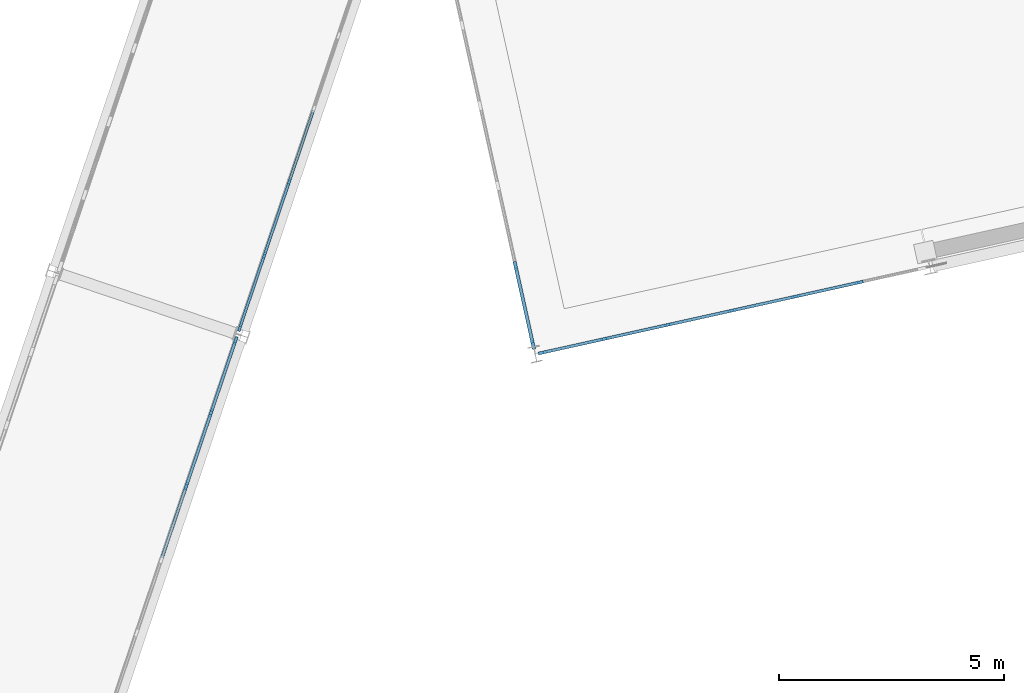
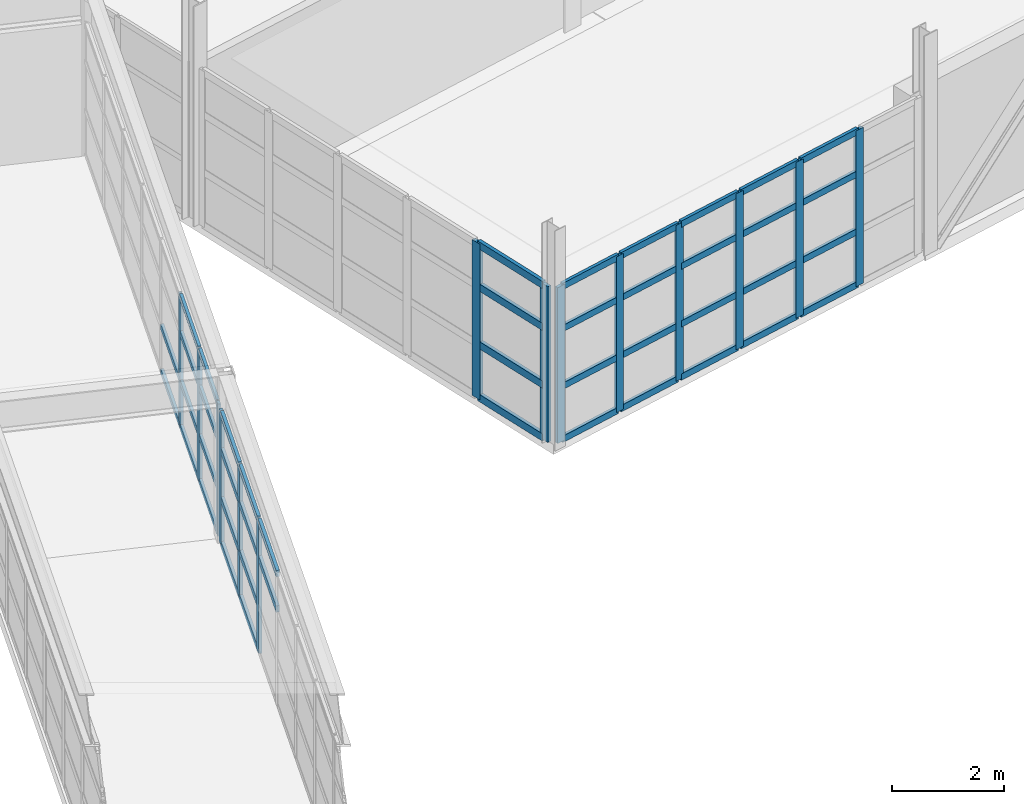
# One storey, part 51 of 102: 58 members, 4 elements without a shape of their own.
"""IFC4 building model written with IfcOpenShell, lengths in metres."""

from ifc_helpers import new_model, si_unit, direction, frame, origin, origin_2d, place, context, subcontext, project, spatial, rectangle, extrude, material, layer, layer_set, material_profile, profile_set, type_object, element, aggregate, save


model = new_model("IFC4")

# Units and contexts
model_context = context("Model", 3, precision=1e-05, world=origin(), true_north=direction((0.0, 1.0)))
body_context = subcontext(model_context, "Body", "Model", "MODEL_VIEW")
ifc_project = project(units=[si_unit("LENGTHUNIT", "METRE"), si_unit("AREAUNIT", "SQUARE_METRE"), si_unit("VOLUMEUNIT", "CUBIC_METRE"), si_unit("PLANEANGLEUNIT", "RADIAN"), si_unit("MASSUNIT", "GRAM", prefix="KILO")], contexts=[model_context])

# Site, building, storey
site_placement = place(None, origin())
site = spatial("IfcSite", under=ifc_project, at=site_placement, CompositionType="ELEMENT")
building_placement = place(site_placement, origin())
building = spatial("IfcBuilding", under=site, at=building_placement, Name="Vireo Bluff Cable Station", CompositionType="ELEMENT")
storey_placement = place(building_placement, frame((0.0, 0.0, 9.60009765625)))
storey = spatial("IfcBuildingStorey", under=building, at=storey_placement, Name="L02", CompositionType="ELEMENT", Elevation=9.60009765625)

# Curtain wall, members
ifc_material = material(Name="Anodized Aluminium 6063-T6", Category="aluminium")
ifc_layer_1 = layer(ifc_material, 0.179931640625, Name="Anodized Aluminium 6063-T6")
ifc_layer_set_1 = layer_set([ifc_layer_1], Name="Anodized Aluminium 6063-T6")
curtain_wall_type_1 = type_object("IfcCurtainWallType", Name="CW-UNIT-1500", PredefinedType="USERDEFINED", material=ifc_layer_set_1)
curtain_wall_1_placement = place(storey_placement, origin())
curtain_wall_1 = element("IfcCurtainWall", 1, at=curtain_wall_1_placement, inside=storey, type_object=curtain_wall_type_1, Name="V2 L02 south curtain wall CW-052", ObjectType="UNITISED CURTAIN WALL", PredefinedType="USERDEFINED")
ifc_material_profile_1 = material_profile(ifc_material, rectangle(XDim=0.06494140625, YDim=0.179931640625, at=origin_2d()), Name="ALU-M-65X180")
ifc_profile_set_1 = profile_set([ifc_material_profile_1], Name="Anodized Aluminium 6063-T6")
member_type_1 = type_object("IfcMemberType", Name="CWM-01", PredefinedType="MULLION", material=ifc_profile_set_1)
member_1_placement = place(storey_placement, frame((133.2158203125, 75.599609375, 0.0), z_axis=(0.0, 0.0, 1.0), x_axis=(0.216439601414, -0.976296009896, 0.0)))
member_1 = element("IfcMember", 2, at=member_1_placement, type_object=member_type_1, Name="CW-052 mullion 2", PredefinedType="MULLION", context=body_context, shape_type="SweptSolid", body=[
    extrude(rectangle(XDim=0.06494140625, YDim=0.179931640625, at=origin_2d()), origin(), (0.0, 0.0, 1.0), 3.39990234375),
])
member_2_placement = place(storey_placement, frame((131.7978515625, 75.285400390625, 0.0), z_axis=(0.0, 0.0, 1.0), x_axis=(0.216439601414, -0.976296009896, 0.0)))
member_2 = element("IfcMember", 3, at=member_2_placement, type_object=member_type_1, Name="CW-052 mullion 3", PredefinedType="MULLION", context=body_context, shape_type="SweptSolid", body=[
    extrude(rectangle(XDim=0.06494140625, YDim=0.179931640625, at=origin_2d()), origin(), (0.0, 0.0, 1.0), 3.39990234375),
])
member_3_placement = place(storey_placement, frame((130.3798828125, 74.970947265625, 0.0), z_axis=(0.0, 0.0, 1.0), x_axis=(0.216439601414, -0.976296009896, 0.0)))
member_3 = element("IfcMember", 4, at=member_3_placement, type_object=member_type_1, Name="CW-052 mullion 4", PredefinedType="MULLION", context=body_context, shape_type="SweptSolid", body=[
    extrude(rectangle(XDim=0.06494140625, YDim=0.179931640625, at=origin_2d()), origin(), (0.0, 0.0, 1.0), 3.39990234375),
])
member_4_placement = place(storey_placement, frame((128.9619140625, 74.65673828125, 0.0), z_axis=(0.0, 0.0, 1.0), x_axis=(0.216439601414, -0.976296009896, 0.0)))
member_4 = element("IfcMember", 5, at=member_4_placement, type_object=member_type_1, Name="CW-052 mullion 5", PredefinedType="MULLION", context=body_context, shape_type="SweptSolid", body=[
    extrude(rectangle(XDim=0.06494140625, YDim=0.179931640625, at=origin_2d()), origin(), (0.0, 0.0, 1.0), 3.39990234375),
])
member_5_placement = place(storey_placement, frame((127.5439453125, 74.34228515625, 0.0), z_axis=(0.0, 0.0, 1.0), x_axis=(0.216439601414, -0.976296009896, 0.0)))
member_5 = element("IfcMember", 6, at=member_5_placement, type_object=member_type_1, Name="CW-052 mullion 6", PredefinedType="MULLION", context=body_context, shape_type="SweptSolid", body=[
    extrude(rectangle(XDim=0.06494140625, YDim=0.179931640625, at=origin_2d()), origin(), (0.0, 0.0, 1.0), 3.39990234375),
])
member_6_placement = place(storey_placement, frame((126.15771484375, 74.034912109375, 0.0), z_axis=(0.0, 0.0, 1.0), x_axis=(0.216439601414, -0.976296009896, 0.0)))
member_6 = element("IfcMember", 7, at=member_6_placement, type_object=member_type_1, Name="CW-052 mullion 7", PredefinedType="MULLION", context=body_context, shape_type="SweptSolid", body=[
    extrude(rectangle(XDim=0.06494140625, YDim=0.179931640625, at=origin_2d()), origin(), (0.0, 0.0, 1.0), 3.39990234375),
])

ifc_layer_2 = layer(ifc_material, 0.159912109375, Name="Anodized Aluminium 6063-T6")
ifc_layer_set_2 = layer_set([ifc_layer_2], Name="Anodized Aluminium 6063-T6")
curtain_wall_type_2 = type_object("IfcCurtainWallType", Name="CW-STICK-1750", PredefinedType="USERDEFINED", material=ifc_layer_set_2)
curtain_wall_2_placement = place(storey_placement, origin())
curtain_wall_2 = element("IfcCurtainWall", 8, at=curtain_wall_2_placement, inside=storey, type_object=curtain_wall_type_2, Name="SKYBR L02 HAUL-DRIVE-2L curtain wall CW-148", ObjectType="STICK CURTAIN WALL", PredefinedType="USERDEFINED")
member_7_placement = place(storey_placement, frame((118.23193359375, 71.06396484375, 0.0), z_axis=(0.0, 0.0, 1.0), x_axis=(-0.9472950728, 0.320362365221, 0.0)))
member_7 = element("IfcMember", 9, at=member_7_placement, type_object=member_type_1, Name="CW-148 mullion 6", PredefinedType="MULLION", context=body_context, shape_type="SweptSolid", body=[
    extrude(rectangle(XDim=0.06494140625, YDim=0.179931640625, at=origin_2d()), origin(), (0.0, 0.0, 1.0), 2.8798828125),
])
member_8_placement = place(storey_placement, frame((118.784912109375, 72.69873046875, 0.0), z_axis=(0.0, 0.0, 1.0), x_axis=(-0.9472950728, 0.320362365221, 0.0)))
member_8 = element("IfcMember", 10, at=member_8_placement, type_object=member_type_1, Name="CW-148 mullion 7", PredefinedType="MULLION", context=body_context, shape_type="SweptSolid", body=[
    extrude(rectangle(XDim=0.06494140625, YDim=0.179931640625, at=origin_2d()), origin(), (0.0, 0.0, 1.0), 2.8798828125),
])
member_9_placement = place(storey_placement, frame((119.327392578125, 74.302734375, 0.0), z_axis=(0.0, 0.0, 1.0), x_axis=(-0.9472950728, 0.320362365221, 0.0)))
member_9 = element("IfcMember", 11, at=member_9_placement, type_object=member_type_1, Name="CW-148 mullion 8", PredefinedType="MULLION", context=body_context, shape_type="SweptSolid", body=[
    extrude(rectangle(XDim=0.06494140625, YDim=0.179931640625, at=origin_2d()), origin(), (0.0, 0.0, 1.0), 2.8798828125),
])

ifc_layer_3 = layer(ifc_material, 0.159912109375, Name="Anodized Aluminium 6063-T6")
ifc_layer_set_3 = layer_set([ifc_layer_3], Name="Anodized Aluminium 6063-T6")
curtain_wall_type_3 = type_object("IfcCurtainWallType", Name="CW-STICK-1850", PredefinedType="USERDEFINED", material=ifc_layer_set_3)
curtain_wall_3_placement = place(storey_placement, origin())
curtain_wall_3 = element("IfcCurtainWall", 12, at=curtain_wall_3_placement, inside=storey, type_object=curtain_wall_type_3, Name="V2 L02 west curtain wall CW-053", ObjectType="STICK CURTAIN WALL", PredefinedType="USERDEFINED")
ifc_material_profile_2 = material_profile(ifc_material, rectangle(XDim=0.074951171875, YDim=0.2099609375, at=origin_2d()), Name="ALU-M-75X210")
ifc_profile_set_2 = profile_set([ifc_material_profile_2], Name="Anodized Aluminium 6063-T6")
member_type_2 = type_object("IfcMemberType", Name="CWM-02", PredefinedType="MULLION", material=ifc_profile_set_2)
member_10_placement = place(storey_placement, frame((125.953369140625, 74.2109375, 0.0), z_axis=(0.0, 0.0, 1.0), x_axis=(-0.976296000381, -0.216439644337, 0.0)))
member_10 = element("IfcMember", 13, at=member_10_placement, type_object=member_type_2, Name="CW-053 mullion 1", PredefinedType="MULLION", context=body_context, shape_type="SweptSolid", body=[
    extrude(rectangle(XDim=0.074951171875, YDim=0.2099609375, at=origin_2d()), origin(), (0.0, 0.0, 1.0), 3.39990234375),
])
member_11_placement = place(storey_placement, frame((125.565185546875, 75.96142578125, 0.0), z_axis=(0.0, 0.0, 1.0), x_axis=(-0.976296000381, -0.216439644337, 0.0)))
member_11 = element("IfcMember", 14, at=member_11_placement, type_object=member_type_2, Name="CW-053 mullion 2", PredefinedType="MULLION", context=body_context, shape_type="SweptSolid", body=[
    extrude(rectangle(XDim=0.074951171875, YDim=0.2099609375, at=origin_2d()), origin(), (0.0, 0.0, 1.0), 3.39990234375),
])

curtain_wall_4_placement = place(storey_placement, origin())
curtain_wall_4 = element("IfcCurtainWall", 15, at=curtain_wall_4_placement, inside=storey, type_object=curtain_wall_type_2, Name="SKYBR L02 HAUL-DRIVE-3L curtain wall CW-150", ObjectType="STICK CURTAIN WALL", PredefinedType="USERDEFINED")
ifc_material_profile_3 = material_profile(ifc_material, rectangle(XDim=0.06005859375, YDim=0.159912109375, at=origin_2d()), Name="ALU-M-60X160")
ifc_profile_set_3 = profile_set([ifc_material_profile_3], Name="Anodized Aluminium 6063-T6")
member_type_3 = type_object("IfcMemberType", Name="CWM-03", PredefinedType="MULLION", material=ifc_profile_set_3)
member_12_placement = place(storey_placement, frame((119.424072265625, 74.589111328125, 0.0), z_axis=(0.0, 0.0, 1.0), x_axis=(-0.947297996715, 0.320353719222, 0.0)))
member_12 = element("IfcMember", 16, at=member_12_placement, type_object=member_type_3, Name="CW-150 mullion 1", PredefinedType="MULLION", context=body_context, shape_type="SweptSolid", body=[
    extrude(rectangle(XDim=0.06005859375, YDim=0.159912109375, at=origin_2d()), origin(), (0.0, 0.0, 1.0), 2.8798828125),
])
member_13_placement = place(storey_placement, frame((119.967041015625, 76.195068359375, 0.0), z_axis=(0.0, 0.0, 1.0), x_axis=(-0.947297996715, 0.320353719222, 0.0)))
member_13 = element("IfcMember", 17, at=member_13_placement, type_object=member_type_3, Name="CW-150 mullion 2", PredefinedType="MULLION", context=body_context, shape_type="SweptSolid", body=[
    extrude(rectangle(XDim=0.06005859375, YDim=0.159912109375, at=origin_2d()), origin(), (0.0, 0.0, 1.0), 2.8798828125),
])
member_14_placement = place(storey_placement, frame((120.519775390625, 77.8291015625, 0.0), z_axis=(0.0, 0.0, 1.0), x_axis=(-0.947297996715, 0.320353719222, 0.0)))
member_14 = element("IfcMember", 18, at=member_14_placement, type_object=member_type_3, Name="CW-150 mullion 3", PredefinedType="MULLION", context=body_context, shape_type="SweptSolid", body=[
    extrude(rectangle(XDim=0.06005859375, YDim=0.159912109375, at=origin_2d()), origin(), (0.0, 0.0, 1.0), 2.8798828125),
])

# Member
ifc_material_profile_4 = material_profile(ifc_material, rectangle(XDim=0.06494140625, YDim=0.139892578125, at=origin_2d()), Name="ALU-T-65X140")
ifc_profile_set_4 = profile_set([ifc_material_profile_4], Name="Anodized Aluminium 6063-T6")
member_type_4 = type_object("IfcMemberType", Name="CWT-01", PredefinedType="USERDEFINED", material=ifc_profile_set_4)
member_15_placement = place(storey_placement, frame((133.18408203125, 75.5927734375, 0.032470703125), z_axis=(-0.976294593652, -0.21644598958, 0.0), x_axis=(0.21644598958, -0.976294593652, 0.0)))
member_15 = element("IfcMember", 19, at=member_15_placement, type_object=member_type_4, Name="CW-052 transom 2.1", ObjectType="TRANSOM", PredefinedType="USERDEFINED", context=body_context, shape_type="SweptSolid", body=[
    extrude(rectangle(XDim=0.06494140625, YDim=0.139892578125, at=origin_2d()), origin(), (0.0, 0.0, 1.0), 1.387451171875),
])

member_16_placement = place(storey_placement, frame((133.18408203125, 75.5927734375, 1.18994140625), z_axis=(-0.976294593652, -0.21644598958, 0.0), x_axis=(0.21644598958, -0.976294593652, 0.0)))
member_16 = element("IfcMember", 20, at=member_16_placement, type_object=member_type_4, Name="CW-052 transom 2.2", ObjectType="TRANSOM", PredefinedType="USERDEFINED", context=body_context, shape_type="SweptSolid", body=[
    extrude(rectangle(XDim=0.06494140625, YDim=0.139892578125, at=origin_2d()), origin(), (0.0, 0.0, 1.0), 1.387451171875),
])

member_17_placement = place(storey_placement, frame((133.18408203125, 75.5927734375, 2.447998046875), z_axis=(-0.976294593652, -0.21644598958, 0.0), x_axis=(0.21644598958, -0.976294593652, 0.0)))
member_17 = element("IfcMember", 21, at=member_17_placement, type_object=member_type_4, Name="CW-052 transom 2.3", ObjectType="TRANSOM", PredefinedType="USERDEFINED", context=body_context, shape_type="SweptSolid", body=[
    extrude(rectangle(XDim=0.06494140625, YDim=0.139892578125, at=origin_2d()), origin(), (0.0, 0.0, 1.0), 1.387451171875),
])

member_18_placement = place(storey_placement, frame((133.18408203125, 75.5927734375, 3.367431640625), z_axis=(-0.976294593652, -0.21644598958, 0.0), x_axis=(0.21644598958, -0.976294593652, 0.0)))
member_18 = element("IfcMember", 22, at=member_18_placement, type_object=member_type_4, Name="CW-052 transom 2.4", ObjectType="TRANSOM", PredefinedType="USERDEFINED", context=body_context, shape_type="SweptSolid", body=[
    extrude(rectangle(XDim=0.06494140625, YDim=0.139892578125, at=origin_2d()), origin(), (0.0, 0.0, 1.0), 1.387451171875),
])

member_19_placement = place(storey_placement, frame((131.76611328125, 75.2783203125, 0.032470703125), z_axis=(-0.976294593652, -0.21644598958, 0.0), x_axis=(0.21644598958, -0.976294593652, 0.0)))
member_19 = element("IfcMember", 23, at=member_19_placement, type_object=member_type_4, Name="CW-052 transom 3.1", ObjectType="TRANSOM", PredefinedType="USERDEFINED", context=body_context, shape_type="SweptSolid", body=[
    extrude(rectangle(XDim=0.06494140625, YDim=0.139892578125, at=origin_2d()), origin(), (0.0, 0.0, 1.0), 1.387451171875),
])

member_20_placement = place(storey_placement, frame((131.76611328125, 75.2783203125, 1.18994140625), z_axis=(-0.976294593652, -0.21644598958, 0.0), x_axis=(0.21644598958, -0.976294593652, 0.0)))
member_20 = element("IfcMember", 24, at=member_20_placement, type_object=member_type_4, Name="CW-052 transom 3.2", ObjectType="TRANSOM", PredefinedType="USERDEFINED", context=body_context, shape_type="SweptSolid", body=[
    extrude(rectangle(XDim=0.06494140625, YDim=0.139892578125, at=origin_2d()), origin(), (0.0, 0.0, 1.0), 1.387451171875),
])

member_21_placement = place(storey_placement, frame((131.76611328125, 75.2783203125, 2.447998046875), z_axis=(-0.976294593652, -0.21644598958, 0.0), x_axis=(0.21644598958, -0.976294593652, 0.0)))
member_21 = element("IfcMember", 25, at=member_21_placement, type_object=member_type_4, Name="CW-052 transom 3.3", ObjectType="TRANSOM", PredefinedType="USERDEFINED", context=body_context, shape_type="SweptSolid", body=[
    extrude(rectangle(XDim=0.06494140625, YDim=0.139892578125, at=origin_2d()), origin(), (0.0, 0.0, 1.0), 1.387451171875),
])

member_22_placement = place(storey_placement, frame((131.76611328125, 75.2783203125, 3.367431640625), z_axis=(-0.976294593652, -0.21644598958, 0.0), x_axis=(0.21644598958, -0.976294593652, 0.0)))
member_22 = element("IfcMember", 26, at=member_22_placement, type_object=member_type_4, Name="CW-052 transom 3.4", ObjectType="TRANSOM", PredefinedType="USERDEFINED", context=body_context, shape_type="SweptSolid", body=[
    extrude(rectangle(XDim=0.06494140625, YDim=0.139892578125, at=origin_2d()), origin(), (0.0, 0.0, 1.0), 1.387451171875),
])

member_23_placement = place(storey_placement, frame((130.34814453125, 74.9638671875, 0.032470703125), z_axis=(-0.976294593652, -0.21644598958, 0.0), x_axis=(0.21644598958, -0.976294593652, 0.0)))
member_23 = element("IfcMember", 27, at=member_23_placement, type_object=member_type_4, Name="CW-052 transom 4.1", ObjectType="TRANSOM", PredefinedType="USERDEFINED", context=body_context, shape_type="SweptSolid", body=[
    extrude(rectangle(XDim=0.06494140625, YDim=0.139892578125, at=origin_2d()), origin(), (0.0, 0.0, 1.0), 1.387451171875),
])

member_24_placement = place(storey_placement, frame((130.34814453125, 74.9638671875, 1.18994140625), z_axis=(-0.976294593652, -0.21644598958, 0.0), x_axis=(0.21644598958, -0.976294593652, 0.0)))
member_24 = element("IfcMember", 28, at=member_24_placement, type_object=member_type_4, Name="CW-052 transom 4.2", ObjectType="TRANSOM", PredefinedType="USERDEFINED", context=body_context, shape_type="SweptSolid", body=[
    extrude(rectangle(XDim=0.06494140625, YDim=0.139892578125, at=origin_2d()), origin(), (0.0, 0.0, 1.0), 1.387451171875),
])

member_25_placement = place(storey_placement, frame((130.34814453125, 74.9638671875, 2.447998046875), z_axis=(-0.976294593652, -0.21644598958, 0.0), x_axis=(0.21644598958, -0.976294593652, 0.0)))
member_25 = element("IfcMember", 29, at=member_25_placement, type_object=member_type_4, Name="CW-052 transom 4.3", ObjectType="TRANSOM", PredefinedType="USERDEFINED", context=body_context, shape_type="SweptSolid", body=[
    extrude(rectangle(XDim=0.06494140625, YDim=0.139892578125, at=origin_2d()), origin(), (0.0, 0.0, 1.0), 1.387451171875),
])

member_26_placement = place(storey_placement, frame((130.34814453125, 74.9638671875, 3.367431640625), z_axis=(-0.976294593652, -0.21644598958, 0.0), x_axis=(0.21644598958, -0.976294593652, 0.0)))
member_26 = element("IfcMember", 30, at=member_26_placement, type_object=member_type_4, Name="CW-052 transom 4.4", ObjectType="TRANSOM", PredefinedType="USERDEFINED", context=body_context, shape_type="SweptSolid", body=[
    extrude(rectangle(XDim=0.06494140625, YDim=0.139892578125, at=origin_2d()), origin(), (0.0, 0.0, 1.0), 1.387451171875),
])

member_27_placement = place(storey_placement, frame((128.93017578125, 74.649658203125, 0.032470703125), z_axis=(-0.976294593652, -0.21644598958, 0.0), x_axis=(0.21644598958, -0.976294593652, 0.0)))
member_27 = element("IfcMember", 31, at=member_27_placement, type_object=member_type_4, Name="CW-052 transom 5.1", ObjectType="TRANSOM", PredefinedType="USERDEFINED", context=body_context, shape_type="SweptSolid", body=[
    extrude(rectangle(XDim=0.06494140625, YDim=0.139892578125, at=origin_2d()), origin(), (0.0, 0.0, 1.0), 1.387451171875),
])

member_28_placement = place(storey_placement, frame((128.93017578125, 74.649658203125, 1.18994140625), z_axis=(-0.976294593652, -0.21644598958, 0.0), x_axis=(0.21644598958, -0.976294593652, 0.0)))
member_28 = element("IfcMember", 32, at=member_28_placement, type_object=member_type_4, Name="CW-052 transom 5.2", ObjectType="TRANSOM", PredefinedType="USERDEFINED", context=body_context, shape_type="SweptSolid", body=[
    extrude(rectangle(XDim=0.06494140625, YDim=0.139892578125, at=origin_2d()), origin(), (0.0, 0.0, 1.0), 1.387451171875),
])

member_29_placement = place(storey_placement, frame((128.93017578125, 74.649658203125, 2.447998046875), z_axis=(-0.976294593652, -0.21644598958, 0.0), x_axis=(0.21644598958, -0.976294593652, 0.0)))
member_29 = element("IfcMember", 33, at=member_29_placement, type_object=member_type_4, Name="CW-052 transom 5.3", ObjectType="TRANSOM", PredefinedType="USERDEFINED", context=body_context, shape_type="SweptSolid", body=[
    extrude(rectangle(XDim=0.06494140625, YDim=0.139892578125, at=origin_2d()), origin(), (0.0, 0.0, 1.0), 1.387451171875),
])

member_30_placement = place(storey_placement, frame((128.93017578125, 74.649658203125, 3.367431640625), z_axis=(-0.976294593652, -0.21644598958, 0.0), x_axis=(0.21644598958, -0.976294593652, 0.0)))
member_30 = element("IfcMember", 34, at=member_30_placement, type_object=member_type_4, Name="CW-052 transom 5.4", ObjectType="TRANSOM", PredefinedType="USERDEFINED", context=body_context, shape_type="SweptSolid", body=[
    extrude(rectangle(XDim=0.06494140625, YDim=0.139892578125, at=origin_2d()), origin(), (0.0, 0.0, 1.0), 1.387451171875),
])

member_31_placement = place(storey_placement, frame((127.51220703125, 74.335205078125, 0.032470703125), z_axis=(-0.976301401655, -0.216415279326, 0.0), x_axis=(0.216415279326, -0.976301401655, 0.0)))
member_31 = element("IfcMember", 35, at=member_31_placement, type_object=member_type_4, Name="CW-052 transom 6.1", ObjectType="TRANSOM", PredefinedType="USERDEFINED", context=body_context, shape_type="SweptSolid", body=[
    extrude(rectangle(XDim=0.06494140625, YDim=0.139892578125, at=origin_2d()), origin(), (0.0, 0.0, 1.0), 1.35498046875),
])

member_32_placement = place(storey_placement, frame((127.51220703125, 74.335205078125, 1.18994140625), z_axis=(-0.976301401655, -0.216415279326, 0.0), x_axis=(0.216415279326, -0.976301401655, 0.0)))
member_32 = element("IfcMember", 36, at=member_32_placement, type_object=member_type_4, Name="CW-052 transom 6.2", ObjectType="TRANSOM", PredefinedType="USERDEFINED", context=body_context, shape_type="SweptSolid", body=[
    extrude(rectangle(XDim=0.06494140625, YDim=0.139892578125, at=origin_2d()), origin(), (0.0, 0.0, 1.0), 1.35498046875),
])

member_33_placement = place(storey_placement, frame((127.51220703125, 74.335205078125, 2.447998046875), z_axis=(-0.976301401655, -0.216415279326, 0.0), x_axis=(0.216415279326, -0.976301401655, 0.0)))
member_33 = element("IfcMember", 37, at=member_33_placement, type_object=member_type_4, Name="CW-052 transom 6.3", ObjectType="TRANSOM", PredefinedType="USERDEFINED", context=body_context, shape_type="SweptSolid", body=[
    extrude(rectangle(XDim=0.06494140625, YDim=0.139892578125, at=origin_2d()), origin(), (0.0, 0.0, 1.0), 1.35498046875),
])

member_34_placement = place(storey_placement, frame((127.51220703125, 74.335205078125, 3.367431640625), z_axis=(-0.976301401655, -0.216415279326, 0.0), x_axis=(0.216415279326, -0.976301401655, 0.0)))
member_34 = element("IfcMember", 38, at=member_34_placement, type_object=member_type_4, Name="CW-052 transom 6.4", ObjectType="TRANSOM", PredefinedType="USERDEFINED", context=body_context, shape_type="SweptSolid", body=[
    extrude(rectangle(XDim=0.06494140625, YDim=0.139892578125, at=origin_2d()), origin(), (0.0, 0.0, 1.0), 1.35498046875),
])

aggregate(curtain_wall_1, [member_1, member_2, member_3, member_4, member_5, member_6, member_15, member_16, member_17, member_18, member_19, member_20, member_21, member_22, member_23, member_24, member_25, member_26, member_27, member_28, member_29, member_30, member_31, member_32, member_33, member_34])

member_35_placement = place(storey_placement, frame((117.689697265625, 69.460205078125, 2.073486328125), z_axis=(0.320370895193, 0.947292188036, 0.0), x_axis=(-0.947292188036, 0.320370895193, 0.0)))
member_35 = element("IfcMember", 39, at=member_35_placement, type_object=member_type_4, Name="CW-148 transom 5.3", ObjectType="TRANSOM", PredefinedType="USERDEFINED", context=body_context, shape_type="SweptSolid", body=[
    extrude(rectangle(XDim=0.06494140625, YDim=0.139892578125, at=origin_2d()), origin(), (0.0, 0.0, 1.0), 1.660400390625),
])

member_36_placement = place(storey_placement, frame((117.689697265625, 69.460205078125, 2.847412109375), z_axis=(0.320370895193, 0.947292188036, 0.0), x_axis=(-0.947292188036, 0.320370895193, 0.0)))
member_36 = element("IfcMember", 40, at=member_36_placement, type_object=member_type_4, Name="CW-148 transom 5.4", ObjectType="TRANSOM", PredefinedType="USERDEFINED", context=body_context, shape_type="SweptSolid", body=[
    extrude(rectangle(XDim=0.06494140625, YDim=0.139892578125, at=origin_2d()), origin(), (0.0, 0.0, 1.0), 1.660400390625),
])

member_37_placement = place(storey_placement, frame((118.242431640625, 71.0947265625, 0.032470703125), z_axis=(0.320326280716, 0.947307275325, 0.0), x_axis=(-0.947307275325, 0.320326280716, 0.0)))
member_37 = element("IfcMember", 41, at=member_37_placement, type_object=member_type_4, Name="CW-148 transom 6.1", ObjectType="TRANSOM", PredefinedType="USERDEFINED", context=body_context, shape_type="SweptSolid", body=[
    extrude(rectangle(XDim=0.06494140625, YDim=0.139892578125, at=origin_2d()), origin(), (0.0, 0.0, 1.0), 1.66064453125),
])

member_38_placement = place(storey_placement, frame((118.242431640625, 71.0947265625, 1.0078125), z_axis=(0.320326280716, 0.947307275325, 0.0), x_axis=(-0.947307275325, 0.320326280716, 0.0)))
member_38 = element("IfcMember", 42, at=member_38_placement, type_object=member_type_4, Name="CW-148 transom 6.2", ObjectType="TRANSOM", PredefinedType="USERDEFINED", context=body_context, shape_type="SweptSolid", body=[
    extrude(rectangle(XDim=0.06494140625, YDim=0.139892578125, at=origin_2d()), origin(), (0.0, 0.0, 1.0), 1.66064453125),
])

member_39_placement = place(storey_placement, frame((118.242431640625, 71.0947265625, 2.073486328125), z_axis=(0.320326280716, 0.947307275325, 0.0), x_axis=(-0.947307275325, 0.320326280716, 0.0)))
member_39 = element("IfcMember", 43, at=member_39_placement, type_object=member_type_4, Name="CW-148 transom 6.3", ObjectType="TRANSOM", PredefinedType="USERDEFINED", context=body_context, shape_type="SweptSolid", body=[
    extrude(rectangle(XDim=0.06494140625, YDim=0.139892578125, at=origin_2d()), origin(), (0.0, 0.0, 1.0), 1.66064453125),
])

member_40_placement = place(storey_placement, frame((118.242431640625, 71.0947265625, 2.847412109375), z_axis=(0.320326280716, 0.947307275325, 0.0), x_axis=(-0.947307275325, 0.320326280716, 0.0)))
member_40 = element("IfcMember", 44, at=member_40_placement, type_object=member_type_4, Name="CW-148 transom 6.4", ObjectType="TRANSOM", PredefinedType="USERDEFINED", context=body_context, shape_type="SweptSolid", body=[
    extrude(rectangle(XDim=0.06494140625, YDim=0.139892578125, at=origin_2d()), origin(), (0.0, 0.0, 1.0), 1.66064453125),
])

member_41_placement = place(storey_placement, frame((118.795166015625, 72.7294921875, 0.032470703125), z_axis=(0.320453349021, 0.947264298441, 0.0), x_axis=(-0.947264298441, 0.320453349021, 0.0)))
member_41 = element("IfcMember", 45, at=member_41_placement, type_object=member_type_4, Name="CW-148 transom 7.1", ObjectType="TRANSOM", PredefinedType="USERDEFINED", context=body_context, shape_type="SweptSolid", body=[
    extrude(rectangle(XDim=0.06494140625, YDim=0.139892578125, at=origin_2d()), origin(), (0.0, 0.0, 1.0), 1.628173828125),
])

member_42_placement = place(storey_placement, frame((118.795166015625, 72.7294921875, 1.0078125), z_axis=(0.320453349021, 0.947264298441, 0.0), x_axis=(-0.947264298441, 0.320453349021, 0.0)))
member_42 = element("IfcMember", 46, at=member_42_placement, type_object=member_type_4, Name="CW-148 transom 7.2", ObjectType="TRANSOM", PredefinedType="USERDEFINED", context=body_context, shape_type="SweptSolid", body=[
    extrude(rectangle(XDim=0.06494140625, YDim=0.139892578125, at=origin_2d()), origin(), (0.0, 0.0, 1.0), 1.628173828125),
])

member_43_placement = place(storey_placement, frame((118.795166015625, 72.7294921875, 2.073486328125), z_axis=(0.320453349021, 0.947264298441, 0.0), x_axis=(-0.947264298441, 0.320453349021, 0.0)))
member_43 = element("IfcMember", 47, at=member_43_placement, type_object=member_type_4, Name="CW-148 transom 7.3", ObjectType="TRANSOM", PredefinedType="USERDEFINED", context=body_context, shape_type="SweptSolid", body=[
    extrude(rectangle(XDim=0.06494140625, YDim=0.139892578125, at=origin_2d()), origin(), (0.0, 0.0, 1.0), 1.628173828125),
])

member_44_placement = place(storey_placement, frame((118.795166015625, 72.7294921875, 2.847412109375), z_axis=(0.320453349021, 0.947264298441, 0.0), x_axis=(-0.947264298441, 0.320453349021, 0.0)))
member_44 = element("IfcMember", 48, at=member_44_placement, type_object=member_type_4, Name="CW-148 transom 7.4", ObjectType="TRANSOM", PredefinedType="USERDEFINED", context=body_context, shape_type="SweptSolid", body=[
    extrude(rectangle(XDim=0.06494140625, YDim=0.139892578125, at=origin_2d()), origin(), (0.0, 0.0, 1.0), 1.628173828125),
])

aggregate(curtain_wall_2, [member_7, member_8, member_9, member_35, member_36, member_37, member_38, member_39, member_40, member_41, member_42, member_43, member_44])

ifc_material_profile_5 = material_profile(ifc_material, rectangle(XDim=0.074951171875, YDim=0.159912109375, at=origin_2d()), Name="ALU-T-75X160")
ifc_profile_set_5 = profile_set([ifc_material_profile_5], Name="Anodized Aluminium 6063-T6")
member_type_5 = type_object("IfcMemberType", Name="CWT-02", PredefinedType="USERDEFINED", material=ifc_profile_set_5)
member_45_placement = place(storey_placement, frame((125.945068359375, 74.24755859375, 0.037353515625), z_axis=(-0.216433879893, 0.976297278309, 0.0), x_axis=(-0.976297278309, -0.216433879893, 0.0)))
member_45 = element("IfcMember", 49, at=member_45_placement, type_object=member_type_5, Name="CW-053 transom 1.1", ObjectType="TRANSOM", PredefinedType="USERDEFINED", context=body_context, shape_type="SweptSolid", body=[
    extrude(rectangle(XDim=0.074951171875, YDim=0.159912109375, at=origin_2d()), origin(), (0.0, 0.0, 1.0), 1.718017578125),
])

member_46_placement = place(storey_placement, frame((125.945068359375, 74.24755859375, 1.18994140625), z_axis=(-0.216433879893, 0.976297278309, 0.0), x_axis=(-0.976297278309, -0.216433879893, 0.0)))
member_46 = element("IfcMember", 50, at=member_46_placement, type_object=member_type_5, Name="CW-053 transom 1.2", ObjectType="TRANSOM", PredefinedType="USERDEFINED", context=body_context, shape_type="SweptSolid", body=[
    extrude(rectangle(XDim=0.074951171875, YDim=0.159912109375, at=origin_2d()), origin(), (0.0, 0.0, 1.0), 1.718017578125),
])

member_47_placement = place(storey_placement, frame((125.945068359375, 74.24755859375, 2.447998046875), z_axis=(-0.216433879893, 0.976297278309, 0.0), x_axis=(-0.976297278309, -0.216433879893, 0.0)))
member_47 = element("IfcMember", 51, at=member_47_placement, type_object=member_type_5, Name="CW-053 transom 1.3", ObjectType="TRANSOM", PredefinedType="USERDEFINED", context=body_context, shape_type="SweptSolid", body=[
    extrude(rectangle(XDim=0.074951171875, YDim=0.159912109375, at=origin_2d()), origin(), (0.0, 0.0, 1.0), 1.718017578125),
])

member_48_placement = place(storey_placement, frame((125.945068359375, 74.24755859375, 3.3623046875), z_axis=(-0.216433879893, 0.976297278309, 0.0), x_axis=(-0.976297278309, -0.216433879893, 0.0)))
member_48 = element("IfcMember", 52, at=member_48_placement, type_object=member_type_5, Name="CW-053 transom 1.4", ObjectType="TRANSOM", PredefinedType="USERDEFINED", context=body_context, shape_type="SweptSolid", body=[
    extrude(rectangle(XDim=0.074951171875, YDim=0.159912109375, at=origin_2d()), origin(), (0.0, 0.0, 1.0), 1.718017578125),
])

aggregate(curtain_wall_3, [member_10, member_11, member_45, member_46, member_47, member_48])

ifc_material_profile_6 = material_profile(ifc_material, rectangle(XDim=0.06005859375, YDim=0.1201171875, at=origin_2d()), Name="ALU-T-60X120")
ifc_profile_set_6 = profile_set([ifc_material_profile_6], Name="Anodized Aluminium 6063-T6")
member_type_6 = type_object("IfcMemberType", Name="CWT-03", PredefinedType="USERDEFINED", material=ifc_profile_set_6)
member_49_placement = place(storey_placement, frame((119.433837890625, 74.61767578125, 0.02978515625), z_axis=(0.320301409852, 0.947315684894, 0.0), x_axis=(-0.947315684894, 0.320301409852, 0.0)))
member_49 = element("IfcMember", 53, at=member_49_placement, type_object=member_type_6, Name="CW-150 transom 1.1", ObjectType="TRANSOM", PredefinedType="USERDEFINED", context=body_context, shape_type="SweptSolid", body=[
    extrude(rectangle(XDim=0.06005859375, YDim=0.1201171875, at=origin_2d()), origin(), (0.0, 0.0, 1.0), 1.635009765625),
])

member_50_placement = place(storey_placement, frame((119.433837890625, 74.61767578125, 1.0078125), z_axis=(0.320301409852, 0.947315684894, 0.0), x_axis=(-0.947315684894, 0.320301409852, 0.0)))
member_50 = element("IfcMember", 54, at=member_50_placement, type_object=member_type_6, Name="CW-150 transom 1.2", ObjectType="TRANSOM", PredefinedType="USERDEFINED", context=body_context, shape_type="SweptSolid", body=[
    extrude(rectangle(XDim=0.06005859375, YDim=0.1201171875, at=origin_2d()), origin(), (0.0, 0.0, 1.0), 1.635009765625),
])

member_51_placement = place(storey_placement, frame((119.433837890625, 74.61767578125, 2.073486328125), z_axis=(0.320301409852, 0.947315684894, 0.0), x_axis=(-0.947315684894, 0.320301409852, 0.0)))
member_51 = element("IfcMember", 55, at=member_51_placement, type_object=member_type_6, Name="CW-150 transom 1.3", ObjectType="TRANSOM", PredefinedType="USERDEFINED", context=body_context, shape_type="SweptSolid", body=[
    extrude(rectangle(XDim=0.06005859375, YDim=0.1201171875, at=origin_2d()), origin(), (0.0, 0.0, 1.0), 1.635009765625),
])

member_52_placement = place(storey_placement, frame((119.433837890625, 74.61767578125, 2.849853515625), z_axis=(0.320301409852, 0.947315684894, 0.0), x_axis=(-0.947315684894, 0.320301409852, 0.0)))
member_52 = element("IfcMember", 56, at=member_52_placement, type_object=member_type_6, Name="CW-150 transom 1.4", ObjectType="TRANSOM", PredefinedType="USERDEFINED", context=body_context, shape_type="SweptSolid", body=[
    extrude(rectangle(XDim=0.06005859375, YDim=0.1201171875, at=origin_2d()), origin(), (0.0, 0.0, 1.0), 1.635009765625),
])

member_53_placement = place(storey_placement, frame((119.976806640625, 76.223388671875, 0.02978515625), z_axis=(0.320359378023, 0.947296083024, 0.0), x_axis=(-0.947296083024, 0.320359378023, 0.0)))
member_53 = element("IfcMember", 57, at=member_53_placement, type_object=member_type_6, Name="CW-150 transom 2.1", ObjectType="TRANSOM", PredefinedType="USERDEFINED", context=body_context, shape_type="SweptSolid", body=[
    extrude(rectangle(XDim=0.06005859375, YDim=0.1201171875, at=origin_2d()), origin(), (0.0, 0.0, 1.0), 1.6650390625),
])

member_54_placement = place(storey_placement, frame((119.976806640625, 76.223388671875, 1.0078125), z_axis=(0.320359378023, 0.947296083024, 0.0), x_axis=(-0.947296083024, 0.320359378023, 0.0)))
member_54 = element("IfcMember", 58, at=member_54_placement, type_object=member_type_6, Name="CW-150 transom 2.2", ObjectType="TRANSOM", PredefinedType="USERDEFINED", context=body_context, shape_type="SweptSolid", body=[
    extrude(rectangle(XDim=0.06005859375, YDim=0.1201171875, at=origin_2d()), origin(), (0.0, 0.0, 1.0), 1.6650390625),
])

member_55_placement = place(storey_placement, frame((119.976806640625, 76.223388671875, 2.073486328125), z_axis=(0.320359378023, 0.947296083024, 0.0), x_axis=(-0.947296083024, 0.320359378023, 0.0)))
member_55 = element("IfcMember", 59, at=member_55_placement, type_object=member_type_6, Name="CW-150 transom 2.3", ObjectType="TRANSOM", PredefinedType="USERDEFINED", context=body_context, shape_type="SweptSolid", body=[
    extrude(rectangle(XDim=0.06005859375, YDim=0.1201171875, at=origin_2d()), origin(), (0.0, 0.0, 1.0), 1.6650390625),
])

member_56_placement = place(storey_placement, frame((119.976806640625, 76.223388671875, 2.849853515625), z_axis=(0.320359378023, 0.947296083024, 0.0), x_axis=(-0.947296083024, 0.320359378023, 0.0)))
member_56 = element("IfcMember", 60, at=member_56_placement, type_object=member_type_6, Name="CW-150 transom 2.4", ObjectType="TRANSOM", PredefinedType="USERDEFINED", context=body_context, shape_type="SweptSolid", body=[
    extrude(rectangle(XDim=0.06005859375, YDim=0.1201171875, at=origin_2d()), origin(), (0.0, 0.0, 1.0), 1.6650390625),
])

member_57_placement = place(storey_placement, frame((120.529296875, 77.857666015625, 0.02978515625), z_axis=(0.320359378023, 0.947296083024, 0.0), x_axis=(-0.947296083024, 0.320359378023, 0.0)))
member_57 = element("IfcMember", 61, at=member_57_placement, type_object=member_type_6, Name="CW-150 transom 3.1", ObjectType="TRANSOM", PredefinedType="USERDEFINED", context=body_context, shape_type="SweptSolid", body=[
    extrude(rectangle(XDim=0.06005859375, YDim=0.1201171875, at=origin_2d()), origin(), (0.0, 0.0, 1.0), 1.6650390625),
])

member_58_placement = place(storey_placement, frame((120.529296875, 77.857666015625, 1.0078125), z_axis=(0.320359378023, 0.947296083024, 0.0), x_axis=(-0.947296083024, 0.320359378023, 0.0)))
member_58 = element("IfcMember", 62, at=member_58_placement, type_object=member_type_6, Name="CW-150 transom 3.2", ObjectType="TRANSOM", PredefinedType="USERDEFINED", context=body_context, shape_type="SweptSolid", body=[
    extrude(rectangle(XDim=0.06005859375, YDim=0.1201171875, at=origin_2d()), origin(), (0.0, 0.0, 1.0), 1.6650390625),
])

aggregate(curtain_wall_4, [member_12, member_13, member_14, member_49, member_50, member_51, member_52, member_53, member_54, member_55, member_56, member_57, member_58])

save(model, "model.ifc")
